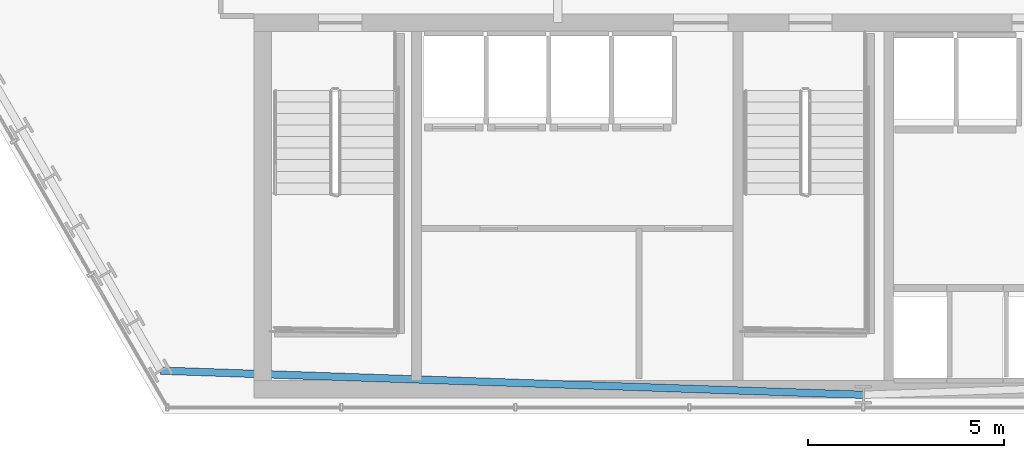
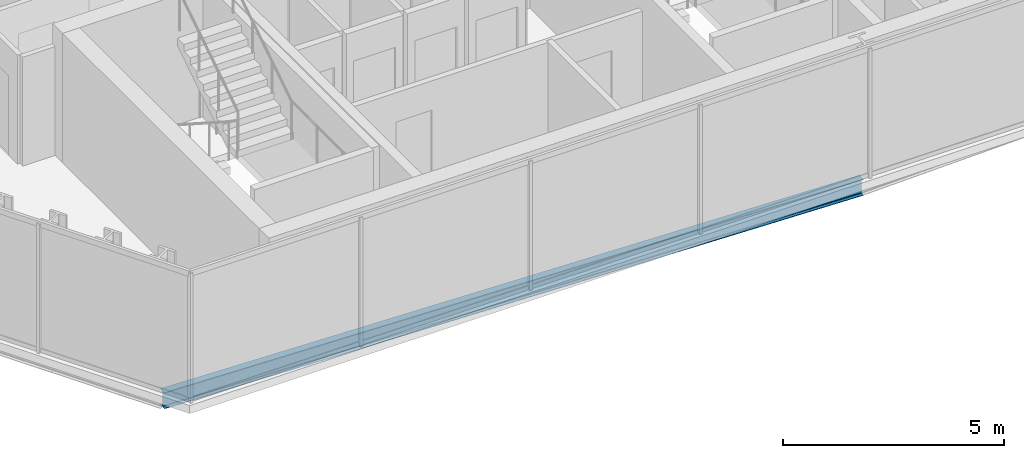
# One storey, part 3 of 31: 1 beam.
"""IFC4 building model written with IfcOpenShell, lengths in metres."""

from ifc_helpers import new_model, si_unit, direction, frame, origin, origin_2d, place, context, subcontext, project, spatial, i_section, extrude, material, material_profile, profile_set, type_object, element, save


model = new_model("IFC4")

# Units and contexts
model_context = context("Model", 3, precision=1e-05, world=origin(), true_north=direction((0.0, 1.0)))
body_context = subcontext(model_context, "Body", "Model", "MODEL_VIEW")
ifc_project = project(units=[si_unit("LENGTHUNIT", "METRE"), si_unit("AREAUNIT", "SQUARE_METRE"), si_unit("VOLUMEUNIT", "CUBIC_METRE"), si_unit("PLANEANGLEUNIT", "RADIAN"), si_unit("MASSUNIT", "GRAM", prefix="KILO")], contexts=[model_context])

# Site, building, storey
site_placement = place(None, origin())
site = spatial("IfcSite", under=ifc_project, at=site_placement, CompositionType="ELEMENT")
building_placement = place(site_placement, origin())
building = spatial("IfcBuilding", under=site, at=building_placement, Name="Ndaravel Arena Tower", CompositionType="ELEMENT")
storey_placement = place(building_placement, frame((0.0, 0.0, 142.199951171875)))
storey = spatial("IfcBuildingStorey", under=building, at=storey_placement, Name="L33", CompositionType="ELEMENT", Elevation=142.199951171875)

# Beam
ifc_material = material(Name="Steel S355", Category="steel")
ifc_material_profile = material_profile(ifc_material, i_section(OverallWidth=0.18994140625, OverallDepth=0.449951171875, WebThickness=0.009521484375, FlangeThickness=0.0146484375, FilletRadius=0.02099609375, at=origin_2d()), Name="IPE 450")
ifc_profile_set = profile_set([ifc_material_profile], Name="Steel S355")
beam_type = type_object("IfcBeamType", Name="BM-SPAN-IPE450", PredefinedType="SPANDREL", material=ifc_profile_set)
beam_placement = place(storey_placement, frame((24.068603515625, 6.096435546875, -0.445068359375), z_axis=(0.99940958159, -0.03435823374, 0.0), x_axis=(0.03435823374, 0.99940958159, 0.0)))
element("IfcBeam", 1, at=beam_placement, inside=storey, type_object=beam_type, Name="L33 Perimeter Spandrel Beam SP-27", PredefinedType="SPANDREL", context=body_context, shape_type="SweptSolid", body=[
    extrude(i_section(OverallWidth=0.18994140625, OverallDepth=0.449951171875, WebThickness=0.009521484375, FlangeThickness=0.0146484375, FilletRadius=0.02099609375, at=origin_2d()), origin(), (0.0, 0.0, 1.0), 17.94189453125),
])

save(model, "model.ifc")
